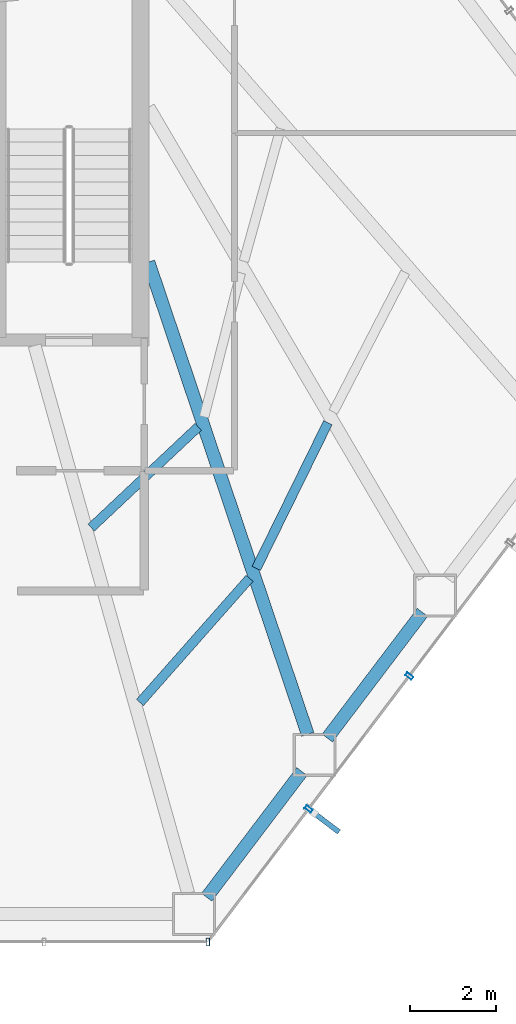
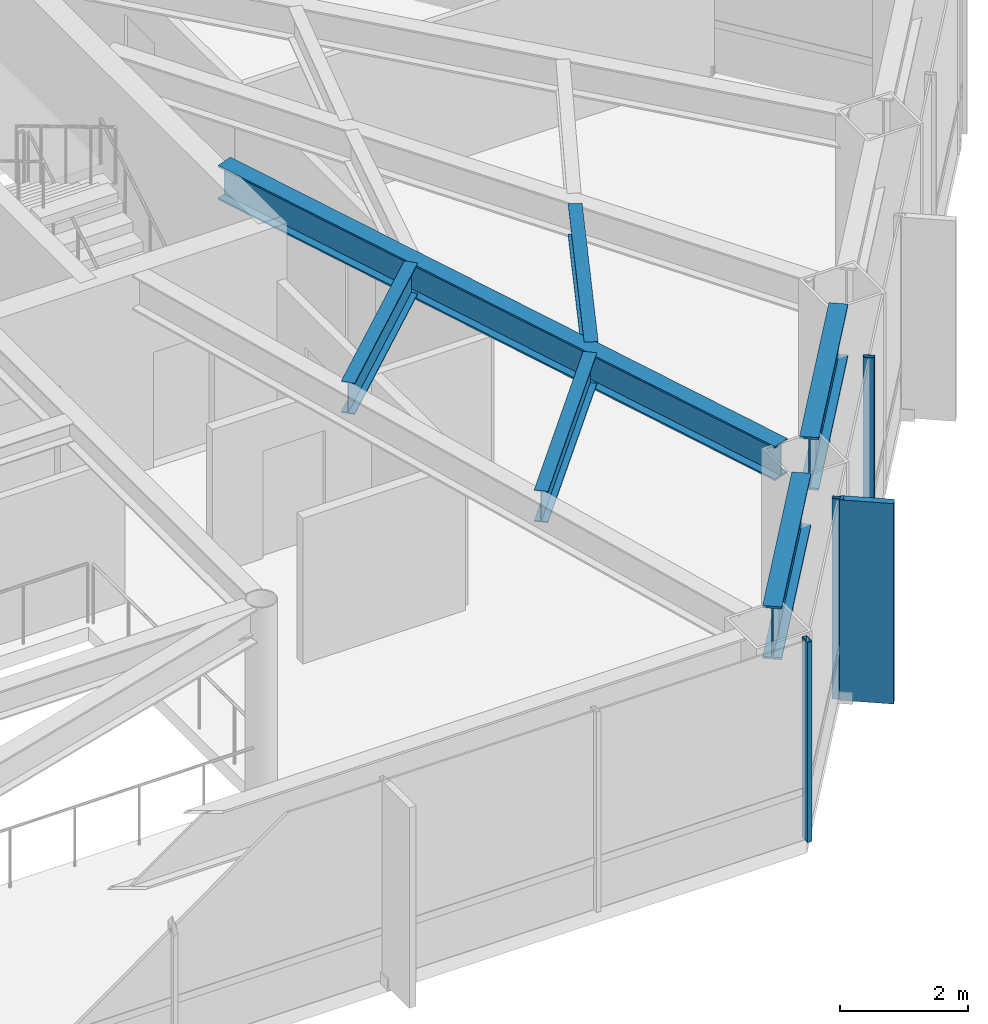
# One storey, part 17 of 26: 6 beams, 4 members, 2 elements without a shape of their own.
"""IFC4 building model written with IfcOpenShell, lengths in metres."""

from ifc_helpers import new_model, si_unit, direction, frame, origin, origin_2d, place, context, subcontext, project, spatial, rectangle, hollow_rectangle, i_section, extrude, material, layer, layer_set, material_profile, profile_set, type_object, element, aggregate, save


model = new_model("IFC4")

# Units and contexts
model_context = context("Model", 3, precision=1e-05, world=origin(), true_north=direction((0.0, 1.0)))
body_context = subcontext(model_context, "Body", "Model", "MODEL_VIEW")
ifc_project = project(units=[si_unit("LENGTHUNIT", "METRE"), si_unit("AREAUNIT", "SQUARE_METRE"), si_unit("VOLUMEUNIT", "CUBIC_METRE"), si_unit("PLANEANGLEUNIT", "RADIAN"), si_unit("MASSUNIT", "GRAM", prefix="KILO")], contexts=[model_context])

# Site, building, storey
site_placement = place(None, origin())
site = spatial("IfcSite", under=ifc_project, at=site_placement, CompositionType="ELEMENT")
building_placement = place(site_placement, origin())
building = spatial("IfcBuilding", under=site, at=building_placement, Name="Zarrinselat Tower", CompositionType="ELEMENT")
storey_placement = place(building_placement, frame((0.0, 0.0, 27.5400390625)))
storey = spatial("IfcBuildingStorey", under=building, at=storey_placement, Name="L06", CompositionType="ELEMENT", Elevation=27.5400390625)

# Beams
ifc_material_1 = material(Name="Steel S355J2", Category="steel")
ifc_material_profile_1 = material_profile(ifc_material_1, i_section(OverallWidth=0.300048828125, OverallDepth=0.64990234375, WebThickness=0.01611328125, FlangeThickness=0.031005859375, at=origin_2d()), Name="HEB 650")
ifc_profile_set_1 = profile_set([ifc_material_profile_1], Name="Steel S355J2")
beam_type_1 = type_object("IfcBeamType", Name="BM-HEB650", PredefinedType="BEAM", material=ifc_profile_set_1)
beam_1_placement = place(storey_placement, frame((48.449951171875, 35.0, 3.494873046875), z_axis=(0.319467998199, -0.94759706528, 0.0), x_axis=(0.94759706528, 0.319467998199, 0.0)))
element("IfcBeam", 1, at=beam_1_placement, inside=storey, type_object=beam_type_1, Name="L06 Radial Primary Girder RG12", PredefinedType="BEAM", context=body_context, shape_type="SweptSolid", body=[
    extrude(i_section(OverallWidth=0.300048828125, OverallDepth=0.64990234375, WebThickness=0.01611328125, FlangeThickness=0.031005859375, at=origin_2d()), origin(), (0.0, 0.0, 1.0), 11.58935546875),
])
ifc_material_2 = material(Name="Steel S460M", Category="steel")
ifc_material_profile_2 = material_profile(ifc_material_2, i_section(OverallWidth=0.302001953125, OverallDepth=1.008056640625, WebThickness=0.02099609375, FlangeThickness=0.0400390625, at=origin_2d()), Name="HEM 1000")
ifc_profile_set_2 = profile_set([ifc_material_profile_2], Name="Steel S460M")
beam_type_2 = type_object("IfcBeamType", Name="BM-HEM1000", PredefinedType="BEAM", material=ifc_profile_set_2)
for number, where, z_axis, x_axis, name in (
    (2, (49.802978515625, 20.2294921875, 3.31591796875), (0.603869220808, 0.797083411043, 0.0), (-0.797083411043, 0.603869220808, 0.0), "L06 Perimeter Spandrel Girder SP11"),
    (3, (52.607421875, 23.931396484375, 3.31591796875), (0.603869220808, 0.797083411043, 0.0), (-0.797083411043, 0.603869220808, 0.0), "L06 Perimeter Spandrel Girder SP12"),
):
    element("IfcBeam", number, at=place(storey_placement, frame(where, z_axis=z_axis, x_axis=x_axis)), inside=storey, type_object=beam_type_2, Name=name, PredefinedType="BEAM", context=body_context, shape_type="SweptSolid", body=[
        extrude(i_section(OverallWidth=0.302001953125, OverallDepth=1.008056640625, WebThickness=0.02099609375, FlangeThickness=0.0400390625, at=origin_2d()), origin(), (0.0, 0.0, 1.0), 3.668212890625),
    ])
ifc_material_3 = material(Name="Steel S355J2", Category="steel")
ifc_material_profile_3 = material_profile(ifc_material_3, i_section(OverallWidth=0.219970703125, OverallDepth=0.60009765625, WebThickness=0.011962890625, FlangeThickness=0.01904296875, at=origin_2d()), Name="IPE 600")
ifc_profile_set_3 = profile_set([ifc_material_profile_3], Name="Steel S355J2")
beam_type_3 = type_object("IfcBeamType", Name="BM-IPE600", PredefinedType="JOIST", material=ifc_profile_set_3)
beam_2_placement = place(storey_placement, frame((48.250732421875, 24.759033203125, 3.52001953125), z_axis=(0.661894057449, 0.749597396416, 0.0), x_axis=(-0.749597396416, 0.661894057449, 0.0)))
element("IfcBeam", 4, at=beam_2_placement, inside=storey, type_object=beam_type_3, Name="L06 Composite Floor Joist 4-1", PredefinedType="JOIST", context=body_context, shape_type="SweptSolid", body=[
    extrude(i_section(OverallWidth=0.219970703125, OverallDepth=0.60009765625, WebThickness=0.011962890625, FlangeThickness=0.01904296875, at=origin_2d()), origin(), (0.0, 0.0, 1.0), 3.8525390625),
])
beam_3_placement = place(storey_placement, frame((47.11669921875, 28.82568359375, 3.52001953125), z_axis=(0.728093107786, 0.685478246478, 0.0), x_axis=(-0.685478246478, 0.728093107786, 0.0)))
element("IfcBeam", 5, at=beam_3_placement, inside=storey, type_object=beam_type_3, Name="L06 Composite Floor Joist 4-2", PredefinedType="JOIST", context=body_context, shape_type="SweptSolid", body=[
    extrude(i_section(OverallWidth=0.219970703125, OverallDepth=0.60009765625, WebThickness=0.011962890625, FlangeThickness=0.01904296875, at=origin_2d()), origin(), (0.0, 0.0, 1.0), 3.420166015625),
])
beam_4_placement = place(storey_placement, frame((50.955322265625, 27.87744140625, 3.52001953125), z_axis=(0.441176231873, 0.897420488083, 0.0), x_axis=(-0.897420488083, 0.441176231873, 0.0)))
element("IfcBeam", 6, at=beam_4_placement, inside=storey, type_object=beam_type_3, Name="L06 Composite Floor Joist 5-1", PredefinedType="JOIST", context=body_context, shape_type="SweptSolid", body=[
    extrude(i_section(OverallWidth=0.219970703125, OverallDepth=0.60009765625, WebThickness=0.011962890625, FlangeThickness=0.01904296875, at=origin_2d()), origin(), (0.0, 0.0, 1.0), 3.775146484375),
])

# Curtain wall, member
ifc_material_4 = material(Name="Extruded Aluminium Alloy EN AW-6063 T6", Category="aluminium")
ifc_layer = layer(ifc_material_4, 0.18505859375)
ifc_layer_set = layer_set([ifc_layer], Name="Extruded Aluminium Alloy EN AW-6063 T6")
curtain_wall_type = type_object("IfcCurtainWallType", Name="CWS-OFF", PredefinedType="NOTDEFINED", material=ifc_layer_set)
curtain_wall_1_placement = place(storey_placement, origin())
curtain_wall_1 = element("IfcCurtainWall", 7, at=curtain_wall_1_placement, inside=storey, type_object=curtain_wall_type, Name="L06 Unitised Curtain Wall CW-L06-E04", PredefinedType="NOTDEFINED")
ifc_material_5 = material(Name="Extruded Aluminium Alloy EN AW-6063 T6", Category="aluminium")
ifc_material_profile_4 = material_profile(ifc_material_5, hollow_rectangle(XDim=0.080078125, YDim=0.179931640625, WallThickness=0.0048828125, at=origin_2d()), Name="RHS 180x80x5")
ifc_profile_set_4 = profile_set([ifc_material_profile_4], Name="Extruded Aluminium Alloy EN AW-6063 T6")
member_type_1 = type_object("IfcMemberType", Name="MEM-CW-MUL", PredefinedType="MULLION", material=ifc_profile_set_4)
member_1_placement = place(storey_placement, frame((49.831298828125, 19.1904296875, 0.0), z_axis=(0.0, 0.0, 1.0), x_axis=(1.0, 0.0, 0.0)))
member_1 = element("IfcMember", 8, at=member_1_placement, type_object=member_type_1, Name="CW-L06-E04 Mullion 7", PredefinedType="MULLION", context=body_context, shape_type="SweptSolid", body=[
    extrude(hollow_rectangle(XDim=0.080078125, YDim=0.179931640625, WallThickness=0.0048828125, at=origin_2d()), origin(), (0.0, 0.0, 1.0), 3.820068359375),
])
aggregate(curtain_wall_1, [member_1])

# Curtain wall, members
curtain_wall_2_placement = place(storey_placement, origin())
curtain_wall_2 = element("IfcCurtainWall", 9, at=curtain_wall_2_placement, inside=storey, type_object=curtain_wall_type, Name="L06 Unitised Curtain Wall CW-L06-E05", PredefinedType="NOTDEFINED")
member_2_placement = place(storey_placement, frame((52.17333984375, 22.281982421875, 0.0), z_axis=(0.0, 0.0, 1.0), x_axis=(0.603858382963, 0.797091621663, 0.0)))
member_2 = element("IfcMember", 10, at=member_2_placement, type_object=member_type_1, Name="CW-L06-E05 Mullion 1", PredefinedType="MULLION", context=body_context, shape_type="SweptSolid", body=[
    extrude(hollow_rectangle(XDim=0.080078125, YDim=0.179931640625, WallThickness=0.0048828125, at=origin_2d()), origin(), (0.0, 0.0, 1.0), 3.820068359375),
])
member_3_placement = place(storey_placement, frame((54.515380859375, 25.37353515625, 0.0), z_axis=(0.0, 0.0, 1.0), x_axis=(0.603858382963, 0.797091621663, 0.0)))
member_3 = element("IfcMember", 11, at=member_3_placement, type_object=member_type_1, Name="CW-L06-E05 Mullion 2", PredefinedType="MULLION", context=body_context, shape_type="SweptSolid", body=[
    extrude(hollow_rectangle(XDim=0.080078125, YDim=0.179931640625, WallThickness=0.0048828125, at=origin_2d()), origin(), (0.0, 0.0, 1.0), 3.820068359375),
])
ifc_material_6 = material(Name="Honed Cream Travertine Stone", Category="masonry")
ifc_material_profile_5 = material_profile(ifc_material_6, rectangle(XDim=0.1201171875, YDim=0.85009765625, at=origin_2d()), Name="FIN 850x120")
ifc_profile_set_5 = profile_set([ifc_material_profile_5], Name="Honed Cream Travertine Stone")
member_type_2 = type_object("IfcMemberType", Name="MEM-STONE-FIN", PredefinedType="USERDEFINED", material=ifc_profile_set_5)
member_4_placement = place(storey_placement, frame((52.5400390625, 22.004150390625, 0.0), z_axis=(0.0, 0.0, 1.0), x_axis=(-0.603858382963, -0.797091621663, 0.0)))
member_4 = element("IfcMember", 12, at=member_4_placement, type_object=member_type_2, Name="L06 Stone Shading Fin CW-L06-E05-01", ObjectType="FIN", PredefinedType="USERDEFINED", context=body_context, shape_type="SweptSolid", body=[
    extrude(rectangle(XDim=0.1201171875, YDim=0.85009765625, at=origin_2d()), origin(), (0.0, 0.0, 1.0), 3.820068359375),
])
aggregate(curtain_wall_2, [member_2, member_4, member_3])

save(model, "model.ifc")
